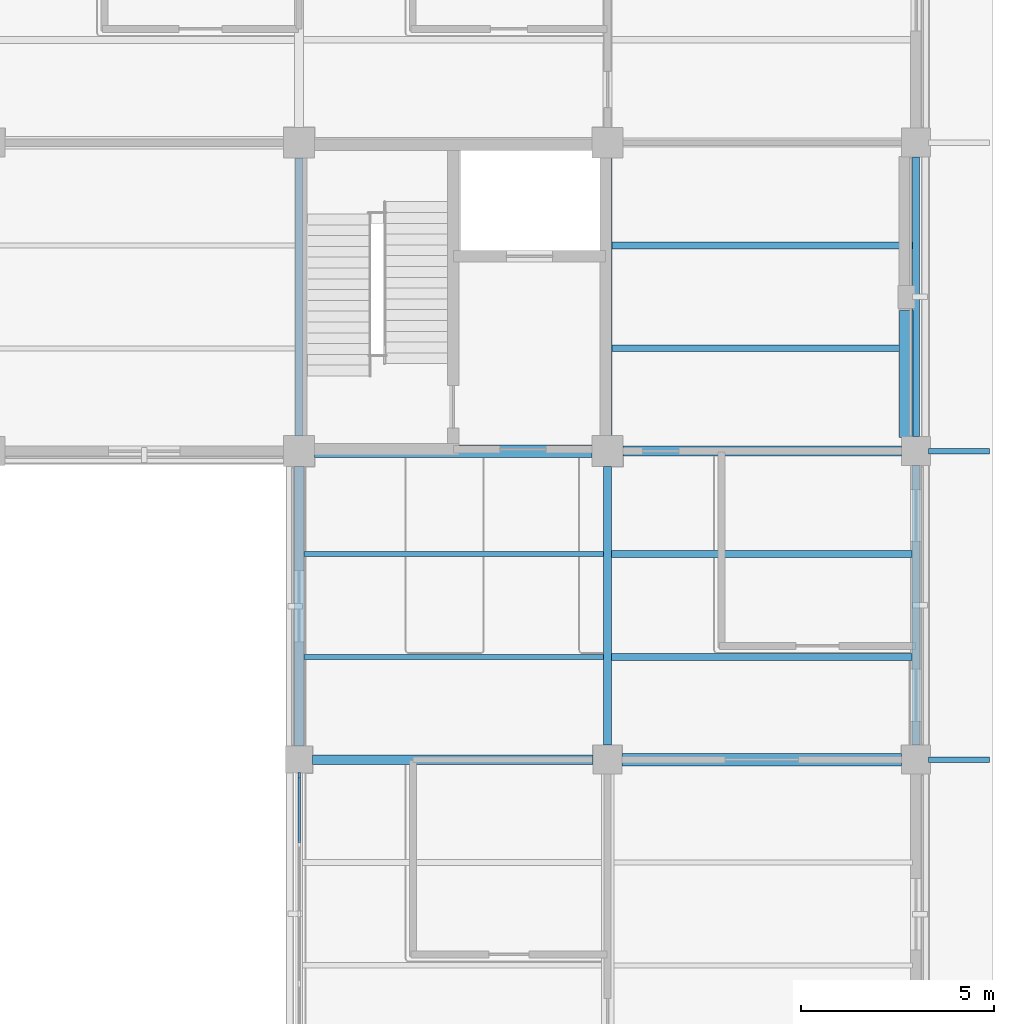
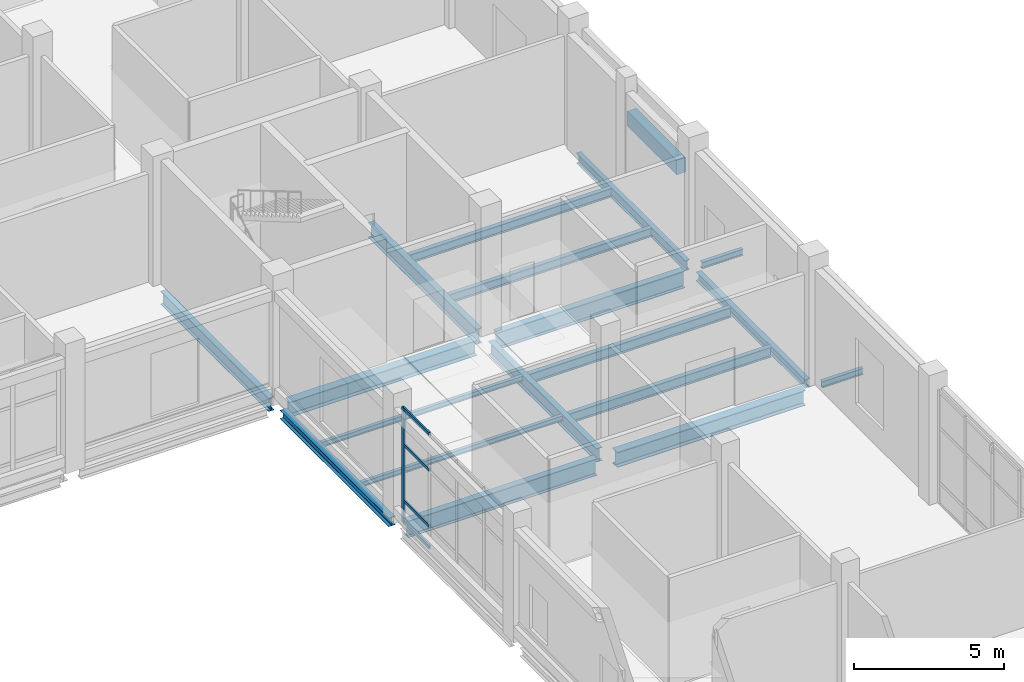
# One storey, part 44 of 105: 19 beams, 5 members, 1 element without a shape of its own.
"""IFC4 building model written with IfcOpenShell, lengths in metres."""

from ifc_helpers import new_model, si_unit, derived_unit, direction, frame, origin, origin_2d, place, context, subcontext, project, spatial, rectangle, i_section, extrude, material, layer, layer_set, material_profile, profile_set, type_object, element, aggregate, save


model = new_model("IFC4")

# Units and contexts
model_context = context("Model", 3, precision=1e-05, world=origin(), true_north=direction((0.0, 1.0)))
body_context = subcontext(model_context, "Body", "Model", "MODEL_VIEW")
ifc_project = project(units=[si_unit("LENGTHUNIT", "METRE"), si_unit("AREAUNIT", "SQUARE_METRE"), si_unit("VOLUMEUNIT", "CUBIC_METRE"), si_unit("PLANEANGLEUNIT", "RADIAN"), si_unit("MASSUNIT", "GRAM", prefix="KILO"), derived_unit("THERMALTRANSMITTANCEUNIT", [(si_unit("MASSUNIT", "GRAM", prefix="KILO"), 1), (si_unit("TIMEUNIT", "SECOND"), -3), (si_unit("THERMODYNAMICTEMPERATUREUNIT", "KELVIN"), -1)])], contexts=[model_context])

# Site, building, storey
site_placement = place(None, origin())
site = spatial("IfcSite", under=ifc_project, at=site_placement, CompositionType="ELEMENT")
building_placement = place(site_placement, origin())
building = spatial("IfcBuilding", under=site, at=building_placement, Name="Veyamyaing Civic Hall", CompositionType="ELEMENT")
storey_placement = place(building_placement, origin())
storey = spatial("IfcBuildingStorey", under=building, at=storey_placement, Name="L00", CompositionType="ELEMENT", Elevation=0.0)

# Beams
ifc_material_1 = material(Name="Steel ASTM A992", Category="steel")
ifc_material_profile_1 = material_profile(ifc_material_1, i_section(OverallWidth=0.256103515625, OverallDepth=0.693115234375, WebThickness=0.014404296875, FlangeThickness=0.023681640625, FilletRadius=0.013916015625, at=origin_2d()), Name="W690X170")
ifc_profile_set_1 = profile_set([ifc_material_profile_1], Name="Steel ASTM A992")
beam_type_1 = type_object("IfcBeamType", Name="B-04", PredefinedType="BEAM", material=ifc_profile_set_1)
beam_1_placement = place(storey_placement, frame((168.39990234375, 88.0, -0.62158203125), z_axis=(1.0, 0.0, 0.0), x_axis=(0.0, 1.0, 0.0)))
element("IfcBeam", 1, at=beam_1_placement, inside=storey, type_object=beam_type_1, Name="Girder B-04 L00 Grid M 22-23", PredefinedType="BEAM", context=body_context, shape_type="SweptSolid", body=[
    extrude(i_section(OverallWidth=0.256103515625, OverallDepth=0.693115234375, WebThickness=0.014404296875, FlangeThickness=0.023681640625, FilletRadius=0.013916015625, at=origin_2d()), origin(), (0.0, 0.0, 1.0), 7.22509765625),
])
ifc_material_profile_2 = material_profile(ifc_material_1, i_section(OverallWidth=0.22998046875, OverallDepth=0.616943359375, WebThickness=0.01318359375, FlangeThickness=0.022216796875, FilletRadius=0.012939453125, at=origin_2d()), Name="W610X140")
ifc_profile_set_2 = profile_set([ifc_material_profile_2], Name="Steel ASTM A992")
beam_type_2 = type_object("IfcBeamType", Name="B-05", PredefinedType="BEAM", material=ifc_profile_set_2)
beam_2_placement = place(storey_placement, frame((168.0, 88.39990234375, -0.58349609375), z_axis=(0.0, 1.0, 0.0), x_axis=(-1.0, 0.0, 0.0)))
element("IfcBeam", 2, at=beam_2_placement, inside=storey, type_object=beam_type_2, Name="Girder B-05 L00 Grid 22 M-N", PredefinedType="BEAM", context=body_context, shape_type="SweptSolid", body=[
    extrude(i_section(OverallWidth=0.22998046875, OverallDepth=0.616943359375, WebThickness=0.01318359375, FlangeThickness=0.022216796875, FilletRadius=0.012939453125, at=origin_2d()), origin(), (0.0, 0.0, 1.0), 7.2001953125),
])
ifc_material_profile_3 = material_profile(ifc_material_1, i_section(OverallWidth=0.2041015625, OverallDepth=0.35009765625, WebThickness=0.0078125, FlangeThickness=0.01513671875, FilletRadius=0.010009765625, at=origin_2d()), Name="W360X72")
ifc_profile_set_3 = profile_set([ifc_material_profile_3], Name="Steel ASTM A992")
beam_type_3 = type_object("IfcBeamType", Name="B-11", PredefinedType="SPANDREL", material=ifc_profile_set_3)
beam_3_placement = place(storey_placement, frame((176.0, 80.375, -0.43994140625), z_axis=(0.0, 1.0, 0.0), x_axis=(-1.0, 0.0, 0.0)))
element("IfcBeam", 3, at=beam_3_placement, inside=storey, type_object=beam_type_3, Name="Girder B-11 L00 Grid 23 L-M", PredefinedType="SPANDREL", context=body_context, shape_type="SweptSolid", body=[
    extrude(i_section(OverallWidth=0.2041015625, OverallDepth=0.35009765625, WebThickness=0.0078125, FlangeThickness=0.01513671875, FilletRadius=0.010009765625, at=origin_2d()), origin(), (0.0, 0.0, 1.0), 7.25),
])
ifc_material_profile_4 = material_profile(ifc_material_1, i_section(OverallWidth=0.14599609375, OverallDepth=0.258056640625, WebThickness=0.006103515625, FlangeThickness=0.009033203125, FilletRadius=0.010009765625, at=origin_2d()), Name="W250X33")
ifc_profile_set_4 = profile_set([ifc_material_profile_4], Name="Steel ASTM A992")
beam_type_4 = type_object("IfcBeamType", Name="B-12", PredefinedType="BEAM", material=ifc_profile_set_4)
for number, where, z_axis, x_axis, name in (
    (4, (176.320068359375, 80.0, -0.34912109375), (1.0, 0.0, 0.0), (0.0, 1.0, 0.0), "Colonnade deck transverse beam B-12 E.10"),
    (5, (176.320068359375, 88.0, -0.34912109375), (1.0, 0.0, 0.0), (0.0, 1.0, 0.0), "Colonnade deck transverse beam B-12 E.11"),
):
    element("IfcBeam", number, at=place(storey_placement, frame(where, z_axis=z_axis, x_axis=x_axis)), inside=storey, type_object=beam_type_4, Name=name, PredefinedType="BEAM", context=body_context, shape_type="SweptSolid", body=[
        extrude(i_section(OverallWidth=0.14599609375, OverallDepth=0.258056640625, WebThickness=0.006103515625, FlangeThickness=0.009033203125, FilletRadius=0.010009765625, at=origin_2d()), origin(), (0.0, 0.0, 1.0), 1.579833984375),
    ])
ifc_material_profile_5 = material_profile(ifc_material_1, i_section(OverallWidth=0.25390625, OverallDepth=0.68408203125, WebThickness=0.012451171875, FlangeThickness=0.01904296875, FilletRadius=0.013916015625, at=origin_2d()), Name="W690X140")
ifc_profile_set_5 = profile_set([ifc_material_profile_5], Name="Steel ASTM A992")
beam_type_5 = type_object("IfcBeamType", Name="B-14", PredefinedType="BEAM", material=ifc_profile_set_5)
beam_4_placement = place(storey_placement, frame((160.35009765625, 80.0, -0.60693359375), z_axis=(1.0, 0.0, 0.0), x_axis=(0.0, 1.0, 0.0)))
element("IfcBeam", 6, at=beam_4_placement, inside=storey, type_object=beam_type_5, Name="Girder B-14 L00 Grid L 21-22", PredefinedType="BEAM", context=body_context, shape_type="SweptSolid", body=[
    extrude(i_section(OverallWidth=0.25390625, OverallDepth=0.68408203125, WebThickness=0.012451171875, FlangeThickness=0.01904296875, FilletRadius=0.013916015625, at=origin_2d()), origin(), (0.0, 0.0, 1.0), 7.27490234375),
])
ifc_material_profile_6 = material_profile(ifc_material_1, i_section(OverallWidth=0.324951171875, OverallDepth=0.615966796875, WebThickness=0.013916015625, FlangeThickness=0.021484375, FilletRadius=0.013916015625, at=origin_2d()), Name="W610X174")
ifc_profile_set_6 = profile_set([ifc_material_profile_6], Name="Steel ASTM A992")
beam_type_6 = type_object("IfcBeamType", Name="B-15", PredefinedType="BEAM", material=ifc_profile_set_6)
beam_5_placement = place(storey_placement, frame((168.375, 80.0, -0.572998046875), z_axis=(1.0, 0.0, 0.0), x_axis=(0.0, 1.0, 0.0)))
element("IfcBeam", 7, at=beam_5_placement, inside=storey, type_object=beam_type_6, Name="Girder B-15 L00 Grid L 22-23", PredefinedType="BEAM", context=body_context, shape_type="SweptSolid", body=[
    extrude(i_section(OverallWidth=0.324951171875, OverallDepth=0.615966796875, WebThickness=0.013916015625, FlangeThickness=0.021484375, FilletRadius=0.013916015625, at=origin_2d()), origin(), (0.0, 0.0, 1.0), 7.25),
])
beam_6_placement = place(storey_placement, frame((160.39990234375, 88.0, -0.5830078125), z_axis=(1.0, 0.0, 0.0), x_axis=(0.0, 1.0, 0.0)))
element("IfcBeam", 8, at=beam_6_placement, inside=storey, type_object=beam_type_6, Name="Girder B-15 L00 Grid M 21-22", PredefinedType="BEAM", context=body_context, shape_type="SweptSolid", body=[
    extrude(i_section(OverallWidth=0.324951171875, OverallDepth=0.615966796875, WebThickness=0.013916015625, FlangeThickness=0.021484375, FilletRadius=0.013916015625, at=origin_2d()), origin(), (0.0, 0.0, 1.0), 7.2001953125),
])
ifc_material_profile_7 = material_profile(ifc_material_1, i_section(OverallWidth=0.214111328125, OverallDepth=0.549072265625, WebThickness=0.0146484375, FlangeThickness=0.023681640625, FilletRadius=0.011962890625, at=origin_2d()), Name="W530X138")
ifc_profile_set_7 = profile_set([ifc_material_profile_7], Name="Steel ASTM A992")
beam_type_7 = type_object("IfcBeamType", Name="B-16", PredefinedType="BEAM", material=ifc_profile_set_7)
beam_7_placement = place(storey_placement, frame((160.0, 88.39990234375, -0.549560546875), z_axis=(0.0, 1.0, 0.0), x_axis=(-1.0, 0.0, 0.0)))
element("IfcBeam", 9, at=beam_7_placement, inside=storey, type_object=beam_type_7, Name="Girder B-16 L00 Grid 21 M-N", PredefinedType="BEAM", context=body_context, shape_type="SweptSolid", body=[
    extrude(i_section(OverallWidth=0.214111328125, OverallDepth=0.549072265625, WebThickness=0.0146484375, FlangeThickness=0.023681640625, FilletRadius=0.011962890625, at=origin_2d()), origin(), (0.0, 0.0, 1.0), 7.2001953125),
])
beam_8_placement = place(storey_placement, frame((168.0, 80.375, -0.53955078125), z_axis=(0.0, 1.0, 0.0), x_axis=(-1.0, 0.0, 0.0)))
element("IfcBeam", 10, at=beam_8_placement, inside=storey, type_object=beam_type_7, Name="Girder B-16 L00 Grid 22 L-M", PredefinedType="BEAM", context=body_context, shape_type="SweptSolid", body=[
    extrude(i_section(OverallWidth=0.214111328125, OverallDepth=0.549072265625, WebThickness=0.0146484375, FlangeThickness=0.023681640625, FilletRadius=0.011962890625, at=origin_2d()), origin(), (0.0, 0.0, 1.0), 7.22509765625),
])
ifc_material_profile_8 = material_profile(ifc_material_1, i_section(OverallWidth=0.180908203125, OverallDepth=0.4169921875, WebThickness=0.010986328125, FlangeThickness=0.018310546875, FilletRadius=0.010009765625, at=origin_2d()), Name="W410X85")
ifc_profile_set_8 = profile_set([ifc_material_profile_8], Name="Steel ASTM A992")
beam_type_8 = type_object("IfcBeamType", Name="B-19", PredefinedType="SPANDREL", material=ifc_profile_set_8)
beam_9_placement = place(storey_placement, frame((176.0, 88.375, -0.4833984375), z_axis=(0.0, 1.0, 0.0), x_axis=(-1.0, 0.0, 0.0)))
element("IfcBeam", 11, at=beam_9_placement, inside=storey, type_object=beam_type_8, Name="Girder B-19 L00 Grid 23 M-N", PredefinedType="SPANDREL", context=body_context, shape_type="SweptSolid", body=[
    extrude(i_section(OverallWidth=0.180908203125, OverallDepth=0.4169921875, WebThickness=0.010986328125, FlangeThickness=0.018310546875, FilletRadius=0.010009765625, at=origin_2d()), origin(), (0.0, 0.0, 1.0), 7.25),
])
ifc_material_profile_9 = material_profile(ifc_material_1, i_section(OverallWidth=0.25390625, OverallDepth=0.35302734375, WebThickness=0.009521484375, FlangeThickness=0.016357421875, FilletRadius=0.011962890625, at=origin_2d()), Name="W360X91")
ifc_profile_set_9 = profile_set([ifc_material_profile_9], Name="Steel ASTM A992")
beam_type_9 = type_object("IfcBeamType", Name="B-20", PredefinedType="SPANDREL", material=ifc_profile_set_9)
beam_10_placement = place(storey_placement, frame((160.0, 80.35009765625, -0.44140625), z_axis=(0.0, 1.0, 0.0), x_axis=(-1.0, 0.0, 0.0)))
element("IfcBeam", 12, at=beam_10_placement, inside=storey, type_object=beam_type_9, Name="Girder B-20 L00 Grid 21 L-M", PredefinedType="SPANDREL", context=body_context, shape_type="SweptSolid", body=[
    extrude(i_section(OverallWidth=0.25390625, OverallDepth=0.35302734375, WebThickness=0.009521484375, FlangeThickness=0.016357421875, FilletRadius=0.011962890625, at=origin_2d()), origin(), (0.0, 0.0, 1.0), 7.25),
])

# Curtain wall, members
ifc_material_2 = material(Name="Anodised aluminium 6063-T6", Category="aluminium")
ifc_layer = layer(ifc_material_2, 0.159912109375, Name="Anodised aluminium 6063-T6")
ifc_layer_set = layer_set([ifc_layer], Name="Anodised aluminium 6063-T6")
curtain_wall_type = type_object("IfcCurtainWallType", Name="CW-01", PredefinedType="NOTDEFINED", material=ifc_layer_set)
curtain_wall_placement = place(storey_placement, origin())
curtain_wall = element("IfcCurtainWall", 13, at=curtain_wall_placement, inside=storey, type_object=curtain_wall_type, Name="Unitized curtain wall CW-01 L00 W 21.10", PredefinedType="NOTDEFINED")
ifc_material_profile_10 = material_profile(ifc_material_2, rectangle(XDim=0.06494140625, YDim=0.159912109375, at=origin_2d()), Name="ALU-MUL-65X160")
ifc_profile_set_10 = profile_set([ifc_material_profile_10], Name="Anodised aluminium 6063-T6")
member_type_1 = type_object("IfcMemberType", Name="CWM-01", PredefinedType="MULLION", material=ifc_profile_set_10)
member_1_placement = place(storey_placement, frame((160.0, 79.58740234375, 0.0), z_axis=(0.0, 0.0, 1.0), x_axis=(-1.0, 0.0, 0.0)))
member_1 = element("IfcMember", 14, at=member_1_placement, type_object=member_type_1, Name="CW-01 mullion 5", PredefinedType="MULLION", context=body_context, shape_type="SweptSolid", body=[
    extrude(rectangle(XDim=0.06494140625, YDim=0.159912109375, at=origin_2d()), origin(), (0.0, 0.0, 1.0), 4.678955078125),
])
ifc_material_profile_11 = material_profile(ifc_material_2, rectangle(XDim=0.06494140625, YDim=0.1201171875, at=origin_2d()), Name="ALU-TRN-65X120")
ifc_profile_set_11 = profile_set([ifc_material_profile_11], Name="Anodised aluminium 6063-T6")
member_type_2 = type_object("IfcMemberType", Name="CWT-01", PredefinedType="USERDEFINED", material=ifc_profile_set_11)
member_2_placement = place(storey_placement, frame((160.0, 77.842529296875, 0.032470703125), z_axis=(0.0, 1.0, 0.0), x_axis=(-1.0, 0.0, 0.0)))
member_2 = element("IfcMember", 15, at=member_2_placement, type_object=member_type_2, Name="CW-01 transom 4.1", ObjectType="TRANSOM", PredefinedType="USERDEFINED", context=body_context, shape_type="SweptSolid", body=[
    extrude(rectangle(XDim=0.06494140625, YDim=0.1201171875, at=origin_2d()), origin(), (0.0, 0.0, 1.0), 1.71240234375),
])
member_3_placement = place(storey_placement, frame((160.0, 77.842529296875, 0.89990234375), z_axis=(0.0, 1.0, 0.0), x_axis=(-1.0, 0.0, 0.0)))
member_3 = element("IfcMember", 16, at=member_3_placement, type_object=member_type_2, Name="CW-01 transom 4.2", ObjectType="TRANSOM", PredefinedType="USERDEFINED", context=body_context, shape_type="SweptSolid", body=[
    extrude(rectangle(XDim=0.06494140625, YDim=0.1201171875, at=origin_2d()), origin(), (0.0, 0.0, 1.0), 1.71240234375),
])
member_4_placement = place(storey_placement, frame((160.0, 77.842529296875, 3.181640625), z_axis=(0.0, 1.0, 0.0), x_axis=(-1.0, 0.0, 0.0)))
member_4 = element("IfcMember", 17, at=member_4_placement, type_object=member_type_2, Name="CW-01 transom 4.3", ObjectType="TRANSOM", PredefinedType="USERDEFINED", context=body_context, shape_type="SweptSolid", body=[
    extrude(rectangle(XDim=0.06494140625, YDim=0.1201171875, at=origin_2d()), origin(), (0.0, 0.0, 1.0), 1.71240234375),
])
member_5_placement = place(storey_placement, frame((160.0, 77.842529296875, 4.646484375), z_axis=(0.0, 1.0, 0.0), x_axis=(-1.0, 0.0, 0.0)))
member_5 = element("IfcMember", 18, at=member_5_placement, type_object=member_type_2, Name="CW-01 transom 4.4", ObjectType="TRANSOM", PredefinedType="USERDEFINED", context=body_context, shape_type="SweptSolid", body=[
    extrude(rectangle(XDim=0.06494140625, YDim=0.1201171875, at=origin_2d()), origin(), (0.0, 0.0, 1.0), 1.71240234375),
])
aggregate(curtain_wall, [member_1, member_2, member_3, member_4, member_5])

# Beams
ifc_material_profile_12 = material_profile(ifc_material_1, i_section(OverallWidth=0.177978515625, OverallDepth=0.406982421875, WebThickness=0.0078125, FlangeThickness=0.0126953125, FilletRadius=0.010009765625, at=origin_2d()), Name="W410X60")
ifc_profile_set_12 = profile_set([ifc_material_profile_12], Name="Steel ASTM A992")
beam_type_10 = type_object("IfcBeamType", Name="J-01", PredefinedType="JOIST", material=ifc_profile_set_12)
for number, where, z_axis, x_axis, name in (
    (19, (168.10498046875, 82.666748046875, -0.468505859375), (1.0, 0.0, 0.0), (0.0, 1.0, 0.0), "Composite floor joist J-01 L00 22.11.1"),
    (20, (168.10498046875, 85.333251953125, -0.468505859375), (1.0, 0.0, 0.0), (0.0, 1.0, 0.0), "Composite floor joist J-01 L00 22.11.2"),
):
    element("IfcBeam", number, at=place(storey_placement, frame(where, z_axis=z_axis, x_axis=x_axis)), inside=storey, type_object=beam_type_10, Name=name, PredefinedType="JOIST", context=body_context, shape_type="SweptSolid", body=[
        extrude(i_section(OverallWidth=0.177978515625, OverallDepth=0.406982421875, WebThickness=0.0078125, FlangeThickness=0.0126953125, FilletRadius=0.010009765625, at=origin_2d()), origin(), (0.0, 0.0, 1.0), 7.794921875),
    ])
ifc_material_profile_13 = material_profile(ifc_material_1, i_section(OverallWidth=0.172119140625, OverallDepth=0.35791015625, WebThickness=0.0078125, FlangeThickness=0.01318359375, FilletRadius=0.010009765625, at=origin_2d()), Name="W360X57")
ifc_profile_set_13 = profile_set([ifc_material_profile_13], Name="Steel ASTM A992")
beam_type_11 = type_object("IfcBeamType", Name="J-02", PredefinedType="JOIST", material=ifc_profile_set_13)
for number, where, z_axis, x_axis, name in (
    (21, (168.113037109375, 90.666748046875, -0.4541015625), (1.0, 0.0, 0.0), (0.0, 1.0, 0.0), "Composite floor joist J-02 L00 22.12.1"),
    (22, (168.113037109375, 93.333251953125, -0.4541015625), (1.0, 0.0, 0.0), (0.0, 1.0, 0.0), "Composite floor joist J-02 L00 22.12.2"),
):
    element("IfcBeam", number, at=place(storey_placement, frame(where, z_axis=z_axis, x_axis=x_axis)), inside=storey, type_object=beam_type_11, Name=name, PredefinedType="JOIST", context=body_context, shape_type="SweptSolid", body=[
        extrude(i_section(OverallWidth=0.172119140625, OverallDepth=0.35791015625, WebThickness=0.0078125, FlangeThickness=0.01318359375, FilletRadius=0.010009765625, at=origin_2d()), origin(), (0.0, 0.0, 1.0), 7.798583984375),
    ])
ifc_material_profile_14 = material_profile(ifc_material_1, i_section(OverallWidth=0.133056640625, OverallDepth=0.20703125, WebThickness=0.005859375, FlangeThickness=0.00830078125, FilletRadius=0.010009765625, at=origin_2d()), Name="W200X27")
ifc_profile_set_14 = profile_set([ifc_material_profile_14], Name="Steel ASTM A992")
beam_type_12 = type_object("IfcBeamType", Name="J-08", PredefinedType="JOIST", material=ifc_profile_set_14)
for number, where, z_axis, x_axis, name in (
    (23, (160.125, 82.666748046875, -0.368408203125), (1.0, 0.0, 0.0), (0.0, 1.0, 0.0), "Composite floor joist J-08 L00 21.11.1"),
    (24, (160.125, 85.333251953125, -0.368408203125), (1.0, 0.0, 0.0), (0.0, 1.0, 0.0), "Composite floor joist J-08 L00 21.11.2"),
):
    element("IfcBeam", number, at=place(storey_placement, frame(where, z_axis=z_axis, x_axis=x_axis)), inside=storey, type_object=beam_type_12, Name=name, PredefinedType="JOIST", context=body_context, shape_type="SweptSolid", body=[
        extrude(i_section(OverallWidth=0.133056640625, OverallDepth=0.20703125, WebThickness=0.005859375, FlangeThickness=0.00830078125, FilletRadius=0.010009765625, at=origin_2d()), origin(), (0.0, 0.0, 1.0), 7.77001953125),
    ])
ifc_material_3 = material(Name="Precast concrete C40/50", Category="concrete")
ifc_material_profile_15 = material_profile(ifc_material_3, rectangle(XDim=0.35009765625, YDim=0.60009765625, at=origin_2d()), Name="RC-LINT-350X600")
ifc_profile_set_15 = profile_set([ifc_material_profile_15], Name="Precast concrete C40/50")
beam_type_13 = type_object("IfcBeamType", Name="LN-02", PredefinedType="LINTEL", material=ifc_profile_set_15)
beam_11_placement = place(storey_placement, frame((175.75, 88.35009765625, 3.64990234375), z_axis=(0.0, 1.0, 0.0), x_axis=(-1.0, 0.0, 0.0)))
element("IfcBeam", 25, at=beam_11_placement, inside=storey, type_object=beam_type_13, Name="Riwaq Arcade Precast Lintel LN-02 PIL-E-11", PredefinedType="LINTEL", context=body_context, shape_type="SweptSolid", body=[
    extrude(rectangle(XDim=0.35009765625, YDim=0.60009765625, at=origin_2d()), origin(), (0.0, 0.0, 1.0), 3.2998046875),
])

save(model, "model.ifc")
